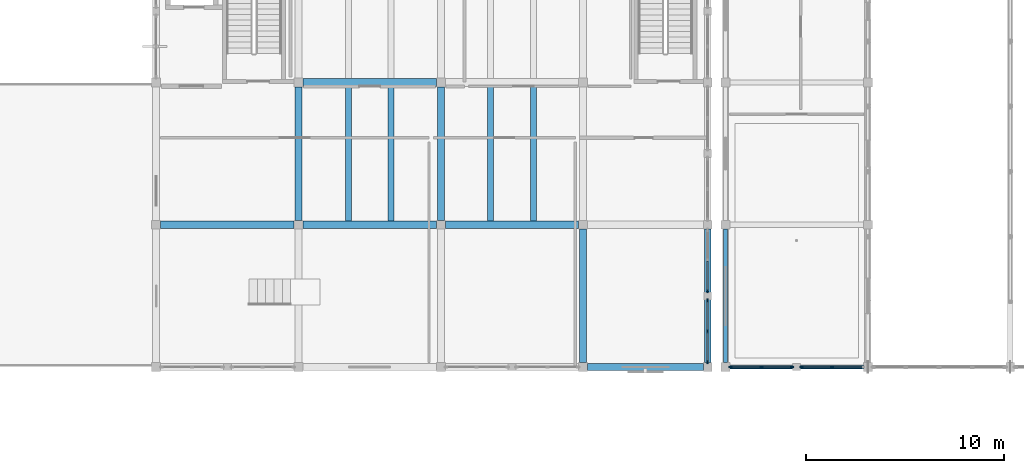
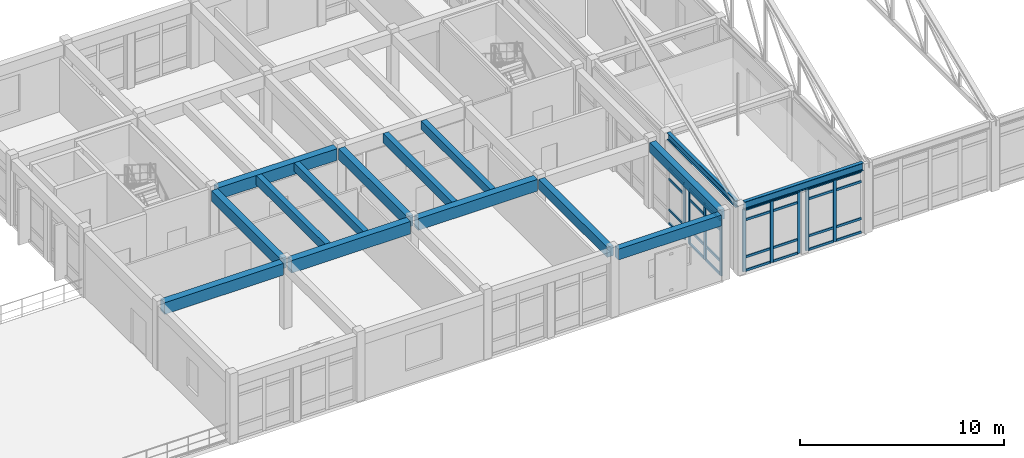
# One storey, part 15 of 136: 37 members, 15 beams, 4 elements without a shape of their own.
"""IFC4 building model written with IfcOpenShell, lengths in metres."""

from ifc_helpers import new_model, si_unit, direction, frame, origin, origin_2d, place, context, subcontext, project, spatial, rectangle, i_section, extrude, material, layer, layer_set, material_profile, profile_set, type_object, element, aggregate, save


model = new_model("IFC4")

# Units and contexts
model_context = context("Model", 3, precision=1e-05, world=origin(), true_north=direction((0.0, 1.0)))
body_context = subcontext(model_context, "Body", "Model", "MODEL_VIEW")
ifc_project = project(units=[si_unit("LENGTHUNIT", "METRE"), si_unit("AREAUNIT", "SQUARE_METRE"), si_unit("VOLUMEUNIT", "CUBIC_METRE"), si_unit("PLANEANGLEUNIT", "RADIAN"), si_unit("MASSUNIT", "GRAM", prefix="KILO")], contexts=[model_context])

# Site, building, storey
site_placement = place(None, origin())
site = spatial("IfcSite", under=ifc_project, at=site_placement, CompositionType="ELEMENT")
building_placement = place(site_placement, origin())
building = spatial("IfcBuilding", under=site, at=building_placement, Name="Koriwan Promenade Central Fire Station", CompositionType="ELEMENT")
storey_placement = place(building_placement, frame((0.0, 0.0, 5.39990234375)))
storey = spatial("IfcBuildingStorey", under=building, at=storey_placement, Name="L01", CompositionType="ELEMENT", Elevation=5.39990234375)

# Beams
ifc_material_1 = material(Name="Concrete C35/45", Category="concrete")
ifc_material_profile_1 = material_profile(ifc_material_1, rectangle(XDim=0.300048828125, YDim=0.5, at=origin_2d()), Name="RC-BM-300x500")
ifc_profile_set_1 = profile_set([ifc_material_profile_1], Name="Concrete C35/45")
beam_type_1 = type_object("IfcBeamType", Name="Beam_RC-BM-300x500", PredefinedType="JOIST", material=ifc_profile_set_1)
for number, where, z_axis, x_axis, name in (
    (1, (40.679931640625, 50.60009765625, 3.7001953125), (0.0, 1.0, 0.0), (-1.0, 0.0, 0.0), "V4 L01 secondary joist 453"),
    (2, (47.8798828125, 50.60009765625, 3.7001953125), (0.0, 1.0, 0.0), (-1.0, 0.0, 0.0), "V4 L01 secondary joist 455"),
):
    element("IfcBeam", number, at=place(storey_placement, frame(where, z_axis=z_axis, x_axis=x_axis)), inside=storey, type_object=beam_type_1, Name=name, PredefinedType="JOIST", context=body_context, shape_type="SweptSolid", body=[
        extrude(rectangle(XDim=0.300048828125, YDim=0.5, at=origin_2d()), origin(), (0.0, 0.0, 1.0), 6.7998046875),
    ])
ifc_material_profile_2 = material_profile(ifc_material_1, rectangle(XDim=0.300048828125, YDim=0.550048828125, at=origin_2d()), Name="RC-BM-300x550")
ifc_profile_set_2 = profile_set([ifc_material_profile_2], Name="Concrete C35/45")
beam_type_2 = type_object("IfcBeamType", Name="Beam_RC-BM-300x550", PredefinedType="JOIST", material=ifc_profile_set_2)
for number, where, z_axis, x_axis, name in (
    (3, (38.52001953125, 50.60009765625, 3.675048828125), (0.0, 1.0, 0.0), (-1.0, 0.0, 0.0), "V4 L01 secondary joist 452"),
    (4, (45.719970703125, 50.60009765625, 3.675048828125), (0.0, 1.0, 0.0), (-1.0, 0.0, 0.0), "V4 L01 secondary joist 454"),
):
    element("IfcBeam", number, at=place(storey_placement, frame(where, z_axis=z_axis, x_axis=x_axis)), inside=storey, type_object=beam_type_2, Name=name, PredefinedType="JOIST", context=body_context, shape_type="SweptSolid", body=[
        extrude(rectangle(XDim=0.300048828125, YDim=0.550048828125, at=origin_2d()), origin(), (0.0, 0.0, 1.0), 6.7998046875),
    ])
ifc_material_profile_3 = material_profile(ifc_material_1, rectangle(XDim=0.35009765625, YDim=0.60009765625, at=origin_2d()), Name="RC-BM-350x600")
ifc_profile_set_3 = profile_set([ifc_material_profile_3], Name="Concrete C35/45")
beam_type_3 = type_object("IfcBeamType", Name="Beam_RC-BM-350x600", PredefinedType="BEAM", material=ifc_profile_set_3)
for number, where, z_axis, x_axis, name in (
    (5, (50.39990234375, 43.425048828125, 3.650146484375), (0.0, 1.0, 0.0), (-1.0, 0.0, 0.0), "V4 L01 girder Y-444"),
    (6, (56.699951171875, 43.425048828125, 3.650146484375), (0.0, 1.0, 0.0), (-1.0, 0.0, 0.0), "V4 L01 girder Y-448"),
):
    element("IfcBeam", number, at=place(storey_placement, frame(where, z_axis=z_axis, x_axis=x_axis)), inside=storey, type_object=beam_type_3, Name=name, PredefinedType="BEAM", context=body_context, shape_type="SweptSolid", body=[
        extrude(rectangle(XDim=0.35009765625, YDim=0.60009765625, at=origin_2d()), origin(), (0.0, 0.0, 1.0), 6.75),
    ])
ifc_material_profile_4 = material_profile(ifc_material_1, rectangle(XDim=0.35009765625, YDim=0.64990234375, at=origin_2d()), Name="RC-BM-350x650")
ifc_profile_set_4 = profile_set([ifc_material_profile_4], Name="Concrete C35/45")
beam_type_4 = type_object("IfcBeamType", Name="Beam_RC-BM-350x650", PredefinedType="BEAM", material=ifc_profile_set_4)
for number, where, z_axis, x_axis, name in (
    (7, (36.0, 50.625, 3.625), (0.0, 1.0, 0.0), (-1.0, 0.0, 0.0), "V4 L01 girder Y-437"),
    (8, (43.199951171875, 50.625, 3.625), (0.0, 1.0, 0.0), (-1.0, 0.0, 0.0), "V4 L01 girder Y-441"),
):
    element("IfcBeam", number, at=place(storey_placement, frame(where, z_axis=z_axis, x_axis=x_axis)), inside=storey, type_object=beam_type_4, Name=name, PredefinedType="BEAM", context=body_context, shape_type="SweptSolid", body=[
        extrude(rectangle(XDim=0.35009765625, YDim=0.64990234375, at=origin_2d()), origin(), (0.0, 0.0, 1.0), 6.75),
    ])
ifc_material_profile_5 = material_profile(ifc_material_1, rectangle(XDim=0.39990234375, YDim=0.699951171875, at=origin_2d()), Name="RC-BM-400x700")
ifc_profile_set_5 = profile_set([ifc_material_profile_5], Name="Concrete C35/45")
beam_type_5 = type_object("IfcBeamType", Name="Beam_RC-BM-400x700", PredefinedType="BEAM", material=ifc_profile_set_5)
for number, where, z_axis, x_axis, name in (
    (9, (29.02490234375, 50.39990234375, 3.60009765625), (1.0, 0.0, 0.0), (0.0, 1.0, 0.0), "V4 L01 girder X-418"),
    (10, (43.425048828125, 50.39990234375, 3.60009765625), (1.0, 0.0, 0.0), (0.0, 1.0, 0.0), "V4 L01 girder X-420"),
    (11, (36.22509765625, 57.60009765625, 3.60009765625), (1.0, 0.0, 0.0), (0.0, 1.0, 0.0), "V4 L01 girder X-422"),
):
    element("IfcBeam", number, at=place(storey_placement, frame(where, z_axis=z_axis, x_axis=x_axis)), inside=storey, type_object=beam_type_5, Name=name, PredefinedType="BEAM", context=body_context, shape_type="SweptSolid", body=[
        extrude(rectangle(XDim=0.39990234375, YDim=0.699951171875, at=origin_2d()), origin(), (0.0, 0.0, 1.0), 6.75),
    ])
ifc_material_profile_6 = material_profile(ifc_material_1, rectangle(XDim=0.39990234375, YDim=0.75, at=origin_2d()), Name="RC-BM-400x750")
ifc_profile_set_6 = profile_set([ifc_material_profile_6], Name="Concrete C35/45")
beam_type_6 = type_object("IfcBeamType", Name="Beam_RC-BM-400x750", PredefinedType="BEAM", material=ifc_profile_set_6)
beam_1_placement = place(storey_placement, frame((36.22509765625, 50.39990234375, 3.5751953125), z_axis=(1.0, 0.0, 0.0), x_axis=(0.0, 1.0, 0.0)))
element("IfcBeam", 12, at=beam_1_placement, inside=storey, type_object=beam_type_6, Name="V4 L01 girder X-419", PredefinedType="BEAM", context=body_context, shape_type="SweptSolid", body=[
    extrude(rectangle(XDim=0.39990234375, YDim=0.75, at=origin_2d()), origin(), (0.0, 0.0, 1.0), 6.75),
])
ifc_material_profile_7 = material_profile(ifc_material_1, rectangle(XDim=0.35009765625, YDim=0.64990234375, at=origin_2d()), Name="RC-SP-350x650")
ifc_profile_set_7 = profile_set([ifc_material_profile_7], Name="Concrete C35/45")
beam_type_7 = type_object("IfcBeamType", Name="Beam_RC-SP-350x650", PredefinedType="SPANDREL", material=ifc_profile_set_7)
beam_2_placement = place(storey_placement, frame((50.625, 43.199951171875, 3.625), z_axis=(1.0, 0.0, 0.0), x_axis=(0.0, 1.0, 0.0)))
element("IfcBeam", 13, at=beam_2_placement, inside=storey, type_object=beam_type_7, Name="V4 L01 girder X-417", PredefinedType="SPANDREL", context=body_context, shape_type="SweptSolid", body=[
    extrude(rectangle(XDim=0.35009765625, YDim=0.64990234375, at=origin_2d()), origin(), (0.0, 0.0, 1.0), 5.85009765625),
])

# Curtain wall, members
ifc_material_2 = material(Name="Aluminium EN AW-6063-T6 and low-E glazing", Category="aluminium")
ifc_layer_1 = layer(ifc_material_2, 0.159912109375, Name="Aluminium EN AW-6063-T6 and low-E glazing")
ifc_layer_set_1 = layer_set([ifc_layer_1], Name="Aluminium EN AW-6063-T6 and low-E glazing")
curtain_wall_type_1 = type_object("IfcCurtainWallType", Name="CurtainWall_02_318x372", PredefinedType="USERDEFINED", material=ifc_layer_set_1)
curtain_wall_1_placement = place(storey_placement, origin())
curtain_wall_1 = element("IfcCurtainWall", 14, at=curtain_wall_1_placement, inside=storey, type_object=curtain_wall_type_1, Name="V1 L01 unitised curtain wall 003", ObjectType="UNITISED CURTAIN WALL", PredefinedType="USERDEFINED")
ifc_material_3 = material(Name="Aluminium EN AW-6063-T6", Category="aluminium")
ifc_material_profile_8 = material_profile(ifc_material_3, rectangle(XDim=0.074951171875, YDim=0.179931640625, at=origin_2d()), Name="ALU-MUL-75x180")
ifc_profile_set_8 = profile_set([ifc_material_profile_8], Name="Aluminium EN AW-6063-T6")
member_type_1 = type_object("IfcMemberType", Name="CWMullion_ALU-MUL-75x180", PredefinedType="MULLION", material=ifc_profile_set_8)
member_1_placement = place(storey_placement, frame((62.987548828125, 43.199951171875, 0.0), z_axis=(0.0, 0.0, 1.0), x_axis=(0.0, -1.0, 0.0)))
member_1 = element("IfcMember", 15, at=member_1_placement, type_object=member_type_1, Name="CW-02 mullion 2", PredefinedType="MULLION", context=body_context, shape_type="SweptSolid", body=[
    extrude(rectangle(XDim=0.074951171875, YDim=0.179931640625, at=origin_2d()), origin(), (0.0, 0.0, 1.0), 3.72119140625),
])
member_2_placement = place(storey_placement, frame((61.4375, 43.199951171875, 0.0), z_axis=(0.0, 0.0, 1.0), x_axis=(0.0, -1.0, 0.0)))
member_2 = element("IfcMember", 16, at=member_2_placement, type_object=member_type_1, Name="CW-02 mullion 3", PredefinedType="MULLION", context=body_context, shape_type="SweptSolid", body=[
    extrude(rectangle(XDim=0.074951171875, YDim=0.179931640625, at=origin_2d()), origin(), (0.0, 0.0, 1.0), 3.72119140625),
])

ifc_layer_2 = layer(ifc_material_2, 0.159912109375, Name="Aluminium EN AW-6063-T6 and low-E glazing")
ifc_layer_set_2 = layer_set([ifc_layer_2], Name="Aluminium EN AW-6063-T6 and low-E glazing")
curtain_wall_type_2 = type_object("IfcCurtainWallType", Name="CurtainWall_01_317x372", PredefinedType="USERDEFINED", material=ifc_layer_set_2)
curtain_wall_2_placement = place(storey_placement, origin())
curtain_wall_2 = element("IfcCurtainWall", 17, at=curtain_wall_2_placement, inside=storey, type_object=curtain_wall_type_2, Name="V1 L01 unitised curtain wall 004", ObjectType="UNITISED CURTAIN WALL", PredefinedType="USERDEFINED")
member_3_placement = place(storey_placement, frame((60.96240234375, 43.199951171875, 0.0), z_axis=(0.0, 0.0, 1.0), x_axis=(0.0, -1.0, 0.0)))
member_3 = element("IfcMember", 18, at=member_3_placement, type_object=member_type_1, Name="CW-01 mullion 1", PredefinedType="MULLION", context=body_context, shape_type="SweptSolid", body=[
    extrude(rectangle(XDim=0.074951171875, YDim=0.179931640625, at=origin_2d()), origin(), (0.0, 0.0, 1.0), 3.72119140625),
])
member_4_placement = place(storey_placement, frame((59.41259765625, 43.199951171875, 0.0), z_axis=(0.0, 0.0, 1.0), x_axis=(0.0, -1.0, 0.0)))
member_4 = element("IfcMember", 19, at=member_4_placement, type_object=member_type_1, Name="CW-01 mullion 2", PredefinedType="MULLION", context=body_context, shape_type="SweptSolid", body=[
    extrude(rectangle(XDim=0.074951171875, YDim=0.179931640625, at=origin_2d()), origin(), (0.0, 0.0, 1.0), 3.72119140625),
])
member_5_placement = place(storey_placement, frame((57.862548828125, 43.199951171875, 0.0), z_axis=(0.0, 0.0, 1.0), x_axis=(0.0, -1.0, 0.0)))
member_5 = element("IfcMember", 20, at=member_5_placement, type_object=member_type_1, Name="CW-01 mullion 3", PredefinedType="MULLION", context=body_context, shape_type="SweptSolid", body=[
    extrude(rectangle(XDim=0.074951171875, YDim=0.179931640625, at=origin_2d()), origin(), (0.0, 0.0, 1.0), 3.72119140625),
])

ifc_layer_3 = layer(ifc_material_2, 0.159912109375, Name="Aluminium EN AW-6063-T6 and low-E glazing")
ifc_layer_set_3 = layer_set([ifc_layer_3], Name="Aluminium EN AW-6063-T6 and low-E glazing")
curtain_wall_type_3 = type_object("IfcCurtainWallType", Name="CurtainWall_44_318x334", PredefinedType="USERDEFINED", material=ifc_layer_set_3)
curtain_wall_3_placement = place(storey_placement, origin())
curtain_wall_3 = element("IfcCurtainWall", 21, at=curtain_wall_3_placement, inside=storey, type_object=curtain_wall_type_3, Name="V4 L01 unitised curtain wall 109", ObjectType="UNITISED CURTAIN WALL", PredefinedType="USERDEFINED")
member_6_placement = place(storey_placement, frame((56.699951171875, 43.46240234375, 0.0), z_axis=(0.0, 0.0, 1.0), x_axis=(-1.0, 0.0, 0.0)))
member_6 = element("IfcMember", 22, at=member_6_placement, type_object=member_type_1, Name="CW-44 mullion 1", PredefinedType="MULLION", context=body_context, shape_type="SweptSolid", body=[
    extrude(rectangle(XDim=0.074951171875, YDim=0.179931640625, at=origin_2d()), origin(), (0.0, 0.0, 1.0), 3.340087890625),
])
member_7_placement = place(storey_placement, frame((56.699951171875, 45.012451171875, 0.0), z_axis=(0.0, 0.0, 1.0), x_axis=(-1.0, 0.0, 0.0)))
member_7 = element("IfcMember", 23, at=member_7_placement, type_object=member_type_1, Name="CW-44 mullion 2", PredefinedType="MULLION", context=body_context, shape_type="SweptSolid", body=[
    extrude(rectangle(XDim=0.074951171875, YDim=0.179931640625, at=origin_2d()), origin(), (0.0, 0.0, 1.0), 3.340087890625),
])
member_8_placement = place(storey_placement, frame((56.699951171875, 46.5625, 0.0), z_axis=(0.0, 0.0, 1.0), x_axis=(-1.0, 0.0, 0.0)))
member_8 = element("IfcMember", 24, at=member_8_placement, type_object=member_type_1, Name="CW-44 mullion 3", PredefinedType="MULLION", context=body_context, shape_type="SweptSolid", body=[
    extrude(rectangle(XDim=0.074951171875, YDim=0.179931640625, at=origin_2d()), origin(), (0.0, 0.0, 1.0), 3.340087890625),
])

# Curtain wall, member
ifc_layer_4 = layer(ifc_material_2, 0.159912109375, Name="Aluminium EN AW-6063-T6 and low-E glazing")
ifc_layer_set_4 = layer_set([ifc_layer_4], Name="Aluminium EN AW-6063-T6 and low-E glazing")
curtain_wall_type_4 = type_object("IfcCurtainWallType", Name="CurtainWall_45_317x334", PredefinedType="USERDEFINED", material=ifc_layer_set_4)
curtain_wall_4_placement = place(storey_placement, origin())
curtain_wall_4 = element("IfcCurtainWall", 25, at=curtain_wall_4_placement, inside=storey, type_object=curtain_wall_type_4, Name="V4 L01 unitised curtain wall 110", ObjectType="UNITISED CURTAIN WALL", PredefinedType="USERDEFINED")
member_9_placement = place(storey_placement, frame((56.699951171875, 47.03759765625, 0.0), z_axis=(0.0, 0.0, 1.0), x_axis=(-1.0, 0.0, 0.0)))
member_9 = element("IfcMember", 26, at=member_9_placement, type_object=member_type_1, Name="CW-45 mullion 1", PredefinedType="MULLION", context=body_context, shape_type="SweptSolid", body=[
    extrude(rectangle(XDim=0.074951171875, YDim=0.179931640625, at=origin_2d()), origin(), (0.0, 0.0, 1.0), 3.340087890625),
])

# Member
ifc_material_profile_9 = material_profile(ifc_material_3, rectangle(XDim=0.074951171875, YDim=0.139892578125, at=origin_2d()), Name="ALU-TRN-75x140")
ifc_profile_set_9 = profile_set([ifc_material_profile_9], Name="Aluminium EN AW-6063-T6")
member_type_2 = type_object("IfcMemberType", Name="CWTransom_ALU-TRN-75x140", PredefinedType="USERDEFINED", material=ifc_profile_set_9)
member_10_placement = place(storey_placement, frame((64.5, 43.199951171875, 0.03759765625), z_axis=(-1.0, 0.0, 0.0), x_axis=(0.0, -1.0, 0.0)))
member_10 = element("IfcMember", 27, at=member_10_placement, type_object=member_type_2, Name="CW-02 transom 1.1", ObjectType="TRANSOM", PredefinedType="USERDEFINED", context=body_context, shape_type="SweptSolid", body=[
    extrude(rectangle(XDim=0.074951171875, YDim=0.139892578125, at=origin_2d()), origin(), (0.0, 0.0, 1.0), 1.47509765625),
])

member_11_placement = place(storey_placement, frame((64.5, 43.199951171875, 0.85009765625), z_axis=(-1.0, 0.0, 0.0), x_axis=(0.0, -1.0, 0.0)))
member_11 = element("IfcMember", 28, at=member_11_placement, type_object=member_type_2, Name="CW-02 transom 1.2", ObjectType="TRANSOM", PredefinedType="USERDEFINED", context=body_context, shape_type="SweptSolid", body=[
    extrude(rectangle(XDim=0.074951171875, YDim=0.139892578125, at=origin_2d()), origin(), (0.0, 0.0, 1.0), 1.47509765625),
])

member_12_placement = place(storey_placement, frame((64.5, 43.199951171875, 3.071044921875), z_axis=(-1.0, 0.0, 0.0), x_axis=(0.0, -1.0, 0.0)))
member_12 = element("IfcMember", 29, at=member_12_placement, type_object=member_type_2, Name="CW-02 transom 1.3", ObjectType="TRANSOM", PredefinedType="USERDEFINED", context=body_context, shape_type="SweptSolid", body=[
    extrude(rectangle(XDim=0.074951171875, YDim=0.139892578125, at=origin_2d()), origin(), (0.0, 0.0, 1.0), 1.47509765625),
])

member_13_placement = place(storey_placement, frame((64.5, 43.199951171875, 3.68359375), z_axis=(-1.0, 0.0, 0.0), x_axis=(0.0, -1.0, 0.0)))
member_13 = element("IfcMember", 30, at=member_13_placement, type_object=member_type_2, Name="CW-02 transom 1.4", ObjectType="TRANSOM", PredefinedType="USERDEFINED", context=body_context, shape_type="SweptSolid", body=[
    extrude(rectangle(XDim=0.074951171875, YDim=0.139892578125, at=origin_2d()), origin(), (0.0, 0.0, 1.0), 1.47509765625),
])

member_14_placement = place(storey_placement, frame((62.949951171875, 43.199951171875, 0.03759765625), z_axis=(-1.0, 0.0, 0.0), x_axis=(0.0, -1.0, 0.0)))
member_14 = element("IfcMember", 31, at=member_14_placement, type_object=member_type_2, Name="CW-02 transom 2.1", ObjectType="TRANSOM", PredefinedType="USERDEFINED", context=body_context, shape_type="SweptSolid", body=[
    extrude(rectangle(XDim=0.074951171875, YDim=0.139892578125, at=origin_2d()), origin(), (0.0, 0.0, 1.0), 1.474853515625),
])

member_15_placement = place(storey_placement, frame((62.949951171875, 43.199951171875, 0.85009765625), z_axis=(-1.0, 0.0, 0.0), x_axis=(0.0, -1.0, 0.0)))
member_15 = element("IfcMember", 32, at=member_15_placement, type_object=member_type_2, Name="CW-02 transom 2.2", ObjectType="TRANSOM", PredefinedType="USERDEFINED", context=body_context, shape_type="SweptSolid", body=[
    extrude(rectangle(XDim=0.074951171875, YDim=0.139892578125, at=origin_2d()), origin(), (0.0, 0.0, 1.0), 1.474853515625),
])

member_16_placement = place(storey_placement, frame((62.949951171875, 43.199951171875, 3.071044921875), z_axis=(-1.0, 0.0, 0.0), x_axis=(0.0, -1.0, 0.0)))
member_16 = element("IfcMember", 33, at=member_16_placement, type_object=member_type_2, Name="CW-02 transom 2.3", ObjectType="TRANSOM", PredefinedType="USERDEFINED", context=body_context, shape_type="SweptSolid", body=[
    extrude(rectangle(XDim=0.074951171875, YDim=0.139892578125, at=origin_2d()), origin(), (0.0, 0.0, 1.0), 1.474853515625),
])

member_17_placement = place(storey_placement, frame((62.949951171875, 43.199951171875, 3.68359375), z_axis=(-1.0, 0.0, 0.0), x_axis=(0.0, -1.0, 0.0)))
member_17 = element("IfcMember", 34, at=member_17_placement, type_object=member_type_2, Name="CW-02 transom 2.4", ObjectType="TRANSOM", PredefinedType="USERDEFINED", context=body_context, shape_type="SweptSolid", body=[
    extrude(rectangle(XDim=0.074951171875, YDim=0.139892578125, at=origin_2d()), origin(), (0.0, 0.0, 1.0), 1.474853515625),
])

aggregate(curtain_wall_1, [member_1, member_2, member_10, member_11, member_12, member_13, member_14, member_15, member_16, member_17])

member_18_placement = place(storey_placement, frame((60.925048828125, 43.199951171875, 0.03759765625), z_axis=(-1.0, 0.0, 0.0), x_axis=(0.0, -1.0, 0.0)))
member_18 = element("IfcMember", 35, at=member_18_placement, type_object=member_type_2, Name="CW-01 transom 1.1", ObjectType="TRANSOM", PredefinedType="USERDEFINED", context=body_context, shape_type="SweptSolid", body=[
    extrude(rectangle(XDim=0.074951171875, YDim=0.139892578125, at=origin_2d()), origin(), (0.0, 0.0, 1.0), 1.47509765625),
])

member_19_placement = place(storey_placement, frame((60.925048828125, 43.199951171875, 0.85009765625), z_axis=(-1.0, 0.0, 0.0), x_axis=(0.0, -1.0, 0.0)))
member_19 = element("IfcMember", 36, at=member_19_placement, type_object=member_type_2, Name="CW-01 transom 1.2", ObjectType="TRANSOM", PredefinedType="USERDEFINED", context=body_context, shape_type="SweptSolid", body=[
    extrude(rectangle(XDim=0.074951171875, YDim=0.139892578125, at=origin_2d()), origin(), (0.0, 0.0, 1.0), 1.47509765625),
])

member_20_placement = place(storey_placement, frame((60.925048828125, 43.199951171875, 3.071044921875), z_axis=(-1.0, 0.0, 0.0), x_axis=(0.0, -1.0, 0.0)))
member_20 = element("IfcMember", 37, at=member_20_placement, type_object=member_type_2, Name="CW-01 transom 1.3", ObjectType="TRANSOM", PredefinedType="USERDEFINED", context=body_context, shape_type="SweptSolid", body=[
    extrude(rectangle(XDim=0.074951171875, YDim=0.139892578125, at=origin_2d()), origin(), (0.0, 0.0, 1.0), 1.47509765625),
])

member_21_placement = place(storey_placement, frame((60.925048828125, 43.199951171875, 3.68359375), z_axis=(-1.0, 0.0, 0.0), x_axis=(0.0, -1.0, 0.0)))
member_21 = element("IfcMember", 38, at=member_21_placement, type_object=member_type_2, Name="CW-01 transom 1.4", ObjectType="TRANSOM", PredefinedType="USERDEFINED", context=body_context, shape_type="SweptSolid", body=[
    extrude(rectangle(XDim=0.074951171875, YDim=0.139892578125, at=origin_2d()), origin(), (0.0, 0.0, 1.0), 1.47509765625),
])

member_22_placement = place(storey_placement, frame((59.375, 43.199951171875, 0.03759765625), z_axis=(-1.0, 0.0, 0.0), x_axis=(0.0, -1.0, 0.0)))
member_22 = element("IfcMember", 39, at=member_22_placement, type_object=member_type_2, Name="CW-01 transom 2.1", ObjectType="TRANSOM", PredefinedType="USERDEFINED", context=body_context, shape_type="SweptSolid", body=[
    extrude(rectangle(XDim=0.074951171875, YDim=0.139892578125, at=origin_2d()), origin(), (0.0, 0.0, 1.0), 1.47509765625),
])

member_23_placement = place(storey_placement, frame((59.375, 43.199951171875, 0.85009765625), z_axis=(-1.0, 0.0, 0.0), x_axis=(0.0, -1.0, 0.0)))
member_23 = element("IfcMember", 40, at=member_23_placement, type_object=member_type_2, Name="CW-01 transom 2.2", ObjectType="TRANSOM", PredefinedType="USERDEFINED", context=body_context, shape_type="SweptSolid", body=[
    extrude(rectangle(XDim=0.074951171875, YDim=0.139892578125, at=origin_2d()), origin(), (0.0, 0.0, 1.0), 1.47509765625),
])

member_24_placement = place(storey_placement, frame((59.375, 43.199951171875, 3.071044921875), z_axis=(-1.0, 0.0, 0.0), x_axis=(0.0, -1.0, 0.0)))
member_24 = element("IfcMember", 41, at=member_24_placement, type_object=member_type_2, Name="CW-01 transom 2.3", ObjectType="TRANSOM", PredefinedType="USERDEFINED", context=body_context, shape_type="SweptSolid", body=[
    extrude(rectangle(XDim=0.074951171875, YDim=0.139892578125, at=origin_2d()), origin(), (0.0, 0.0, 1.0), 1.47509765625),
])

member_25_placement = place(storey_placement, frame((59.375, 43.199951171875, 3.68359375), z_axis=(-1.0, 0.0, 0.0), x_axis=(0.0, -1.0, 0.0)))
member_25 = element("IfcMember", 42, at=member_25_placement, type_object=member_type_2, Name="CW-01 transom 2.4", ObjectType="TRANSOM", PredefinedType="USERDEFINED", context=body_context, shape_type="SweptSolid", body=[
    extrude(rectangle(XDim=0.074951171875, YDim=0.139892578125, at=origin_2d()), origin(), (0.0, 0.0, 1.0), 1.47509765625),
])

aggregate(curtain_wall_2, [member_3, member_4, member_5, member_18, member_19, member_20, member_21, member_22, member_23, member_24, member_25])

member_26_placement = place(storey_placement, frame((56.699951171875, 43.5, 0.03759765625), z_axis=(0.0, 1.0, 0.0), x_axis=(-1.0, 0.0, 0.0)))
member_26 = element("IfcMember", 43, at=member_26_placement, type_object=member_type_2, Name="CW-44 transom 1.1", ObjectType="TRANSOM", PredefinedType="USERDEFINED", context=body_context, shape_type="SweptSolid", body=[
    extrude(rectangle(XDim=0.074951171875, YDim=0.139892578125, at=origin_2d()), origin(), (0.0, 0.0, 1.0), 1.47509765625),
])

member_27_placement = place(storey_placement, frame((56.699951171875, 43.5, 0.85009765625), z_axis=(0.0, 1.0, 0.0), x_axis=(-1.0, 0.0, 0.0)))
member_27 = element("IfcMember", 44, at=member_27_placement, type_object=member_type_2, Name="CW-44 transom 1.2", ObjectType="TRANSOM", PredefinedType="USERDEFINED", context=body_context, shape_type="SweptSolid", body=[
    extrude(rectangle(XDim=0.074951171875, YDim=0.139892578125, at=origin_2d()), origin(), (0.0, 0.0, 1.0), 1.47509765625),
])

member_28_placement = place(storey_placement, frame((56.699951171875, 43.5, 2.690185546875), z_axis=(0.0, 1.0, 0.0), x_axis=(-1.0, 0.0, 0.0)))
member_28 = element("IfcMember", 45, at=member_28_placement, type_object=member_type_2, Name="CW-44 transom 1.3", ObjectType="TRANSOM", PredefinedType="USERDEFINED", context=body_context, shape_type="SweptSolid", body=[
    extrude(rectangle(XDim=0.074951171875, YDim=0.139892578125, at=origin_2d()), origin(), (0.0, 0.0, 1.0), 1.47509765625),
])

member_29_placement = place(storey_placement, frame((56.699951171875, 43.5, 3.302490234375), z_axis=(0.0, 1.0, 0.0), x_axis=(-1.0, 0.0, 0.0)))
member_29 = element("IfcMember", 46, at=member_29_placement, type_object=member_type_2, Name="CW-44 transom 1.4", ObjectType="TRANSOM", PredefinedType="USERDEFINED", context=body_context, shape_type="SweptSolid", body=[
    extrude(rectangle(XDim=0.074951171875, YDim=0.139892578125, at=origin_2d()), origin(), (0.0, 0.0, 1.0), 1.47509765625),
])

member_30_placement = place(storey_placement, frame((56.699951171875, 45.050048828125, 0.03759765625), z_axis=(0.0, 1.0, 0.0), x_axis=(-1.0, 0.0, 0.0)))
member_30 = element("IfcMember", 47, at=member_30_placement, type_object=member_type_2, Name="CW-44 transom 2.1", ObjectType="TRANSOM", PredefinedType="USERDEFINED", context=body_context, shape_type="SweptSolid", body=[
    extrude(rectangle(XDim=0.074951171875, YDim=0.139892578125, at=origin_2d()), origin(), (0.0, 0.0, 1.0), 1.474853515625),
])

member_31_placement = place(storey_placement, frame((56.699951171875, 45.050048828125, 0.85009765625), z_axis=(0.0, 1.0, 0.0), x_axis=(-1.0, 0.0, 0.0)))
member_31 = element("IfcMember", 48, at=member_31_placement, type_object=member_type_2, Name="CW-44 transom 2.2", ObjectType="TRANSOM", PredefinedType="USERDEFINED", context=body_context, shape_type="SweptSolid", body=[
    extrude(rectangle(XDim=0.074951171875, YDim=0.139892578125, at=origin_2d()), origin(), (0.0, 0.0, 1.0), 1.474853515625),
])

member_32_placement = place(storey_placement, frame((56.699951171875, 45.050048828125, 2.690185546875), z_axis=(0.0, 1.0, 0.0), x_axis=(-1.0, 0.0, 0.0)))
member_32 = element("IfcMember", 49, at=member_32_placement, type_object=member_type_2, Name="CW-44 transom 2.3", ObjectType="TRANSOM", PredefinedType="USERDEFINED", context=body_context, shape_type="SweptSolid", body=[
    extrude(rectangle(XDim=0.074951171875, YDim=0.139892578125, at=origin_2d()), origin(), (0.0, 0.0, 1.0), 1.474853515625),
])

member_33_placement = place(storey_placement, frame((56.699951171875, 45.050048828125, 3.302490234375), z_axis=(0.0, 1.0, 0.0), x_axis=(-1.0, 0.0, 0.0)))
member_33 = element("IfcMember", 50, at=member_33_placement, type_object=member_type_2, Name="CW-44 transom 2.4", ObjectType="TRANSOM", PredefinedType="USERDEFINED", context=body_context, shape_type="SweptSolid", body=[
    extrude(rectangle(XDim=0.074951171875, YDim=0.139892578125, at=origin_2d()), origin(), (0.0, 0.0, 1.0), 1.474853515625),
])

aggregate(curtain_wall_3, [member_6, member_7, member_8, member_26, member_27, member_28, member_29, member_30, member_31, member_32, member_33])

member_34_placement = place(storey_placement, frame((56.699951171875, 47.074951171875, 0.03759765625), z_axis=(0.0, 1.0, 0.0), x_axis=(-1.0, 0.0, 0.0)))
member_34 = element("IfcMember", 51, at=member_34_placement, type_object=member_type_2, Name="CW-45 transom 1.1", ObjectType="TRANSOM", PredefinedType="USERDEFINED", context=body_context, shape_type="SweptSolid", body=[
    extrude(rectangle(XDim=0.074951171875, YDim=0.139892578125, at=origin_2d()), origin(), (0.0, 0.0, 1.0), 1.47509765625),
])

member_35_placement = place(storey_placement, frame((56.699951171875, 47.074951171875, 0.85009765625), z_axis=(0.0, 1.0, 0.0), x_axis=(-1.0, 0.0, 0.0)))
member_35 = element("IfcMember", 52, at=member_35_placement, type_object=member_type_2, Name="CW-45 transom 1.2", ObjectType="TRANSOM", PredefinedType="USERDEFINED", context=body_context, shape_type="SweptSolid", body=[
    extrude(rectangle(XDim=0.074951171875, YDim=0.139892578125, at=origin_2d()), origin(), (0.0, 0.0, 1.0), 1.47509765625),
])

member_36_placement = place(storey_placement, frame((56.699951171875, 47.074951171875, 2.690185546875), z_axis=(0.0, 1.0, 0.0), x_axis=(-1.0, 0.0, 0.0)))
member_36 = element("IfcMember", 53, at=member_36_placement, type_object=member_type_2, Name="CW-45 transom 1.3", ObjectType="TRANSOM", PredefinedType="USERDEFINED", context=body_context, shape_type="SweptSolid", body=[
    extrude(rectangle(XDim=0.074951171875, YDim=0.139892578125, at=origin_2d()), origin(), (0.0, 0.0, 1.0), 1.47509765625),
])

member_37_placement = place(storey_placement, frame((56.699951171875, 47.074951171875, 3.302490234375), z_axis=(0.0, 1.0, 0.0), x_axis=(-1.0, 0.0, 0.0)))
member_37 = element("IfcMember", 54, at=member_37_placement, type_object=member_type_2, Name="CW-45 transom 1.4", ObjectType="TRANSOM", PredefinedType="USERDEFINED", context=body_context, shape_type="SweptSolid", body=[
    extrude(rectangle(XDim=0.074951171875, YDim=0.139892578125, at=origin_2d()), origin(), (0.0, 0.0, 1.0), 1.47509765625),
])

aggregate(curtain_wall_4, [member_9, member_34, member_35, member_36, member_37])

# Beams
ifc_material_4 = material(Name="Steel ASTM A992 Grade 50", Category="steel")
ifc_material_profile_10 = material_profile(ifc_material_4, i_section(OverallWidth=0.180908203125, OverallDepth=0.4169921875, WebThickness=0.010986328125, FlangeThickness=0.018310546875, FilletRadius=0.01611328125, at=origin_2d()), Name="W410x85")
ifc_profile_set_10 = profile_set([ifc_material_profile_10], Name="Steel ASTM A992 Grade 50")
beam_type_8 = type_object("IfcBeamType", Name="SteelBeam_W410x85", PredefinedType="BEAM", material=ifc_profile_set_10)
beam_3_placement = place(storey_placement, frame((57.60009765625, 43.425048828125, 3.99169921875), z_axis=(0.0, 1.0, 0.0), x_axis=(-1.0, 0.0, 0.0)))
element("IfcBeam", 55, at=beam_3_placement, inside=storey, type_object=beam_type_8, Name="V1 L01 girder Y-62", PredefinedType="BEAM", context=body_context, shape_type="SweptSolid", body=[
    extrude(i_section(OverallWidth=0.180908203125, OverallDepth=0.4169921875, WebThickness=0.010986328125, FlangeThickness=0.018310546875, FilletRadius=0.01611328125, at=origin_2d()), origin(), (0.0, 0.0, 1.0), 6.75),
])
ifc_material_profile_11 = material_profile(ifc_material_4, i_section(OverallWidth=0.194091796875, OverallDepth=0.468994140625, WebThickness=0.0126953125, FlangeThickness=0.0205078125, FilletRadius=0.01806640625, at=origin_2d()), Name="W460x106")
ifc_profile_set_11 = profile_set([ifc_material_profile_11], Name="Steel ASTM A992 Grade 50")
beam_type_9 = type_object("IfcBeamType", Name="SteelBeam_W460x106", PredefinedType="BEAM", material=ifc_profile_set_11)
beam_4_placement = place(storey_placement, frame((57.824951171875, 43.199951171875, 3.965576171875), z_axis=(1.0, 0.0, 0.0), x_axis=(0.0, 1.0, 0.0)))
element("IfcBeam", 56, at=beam_4_placement, inside=storey, type_object=beam_type_9, Name="V1 L01 girder X-40", PredefinedType="BEAM", context=body_context, shape_type="SweptSolid", body=[
    extrude(i_section(OverallWidth=0.194091796875, OverallDepth=0.468994140625, WebThickness=0.0126953125, FlangeThickness=0.0205078125, FilletRadius=0.01806640625, at=origin_2d()), origin(), (0.0, 0.0, 1.0), 6.75),
])

save(model, "model.ifc")
